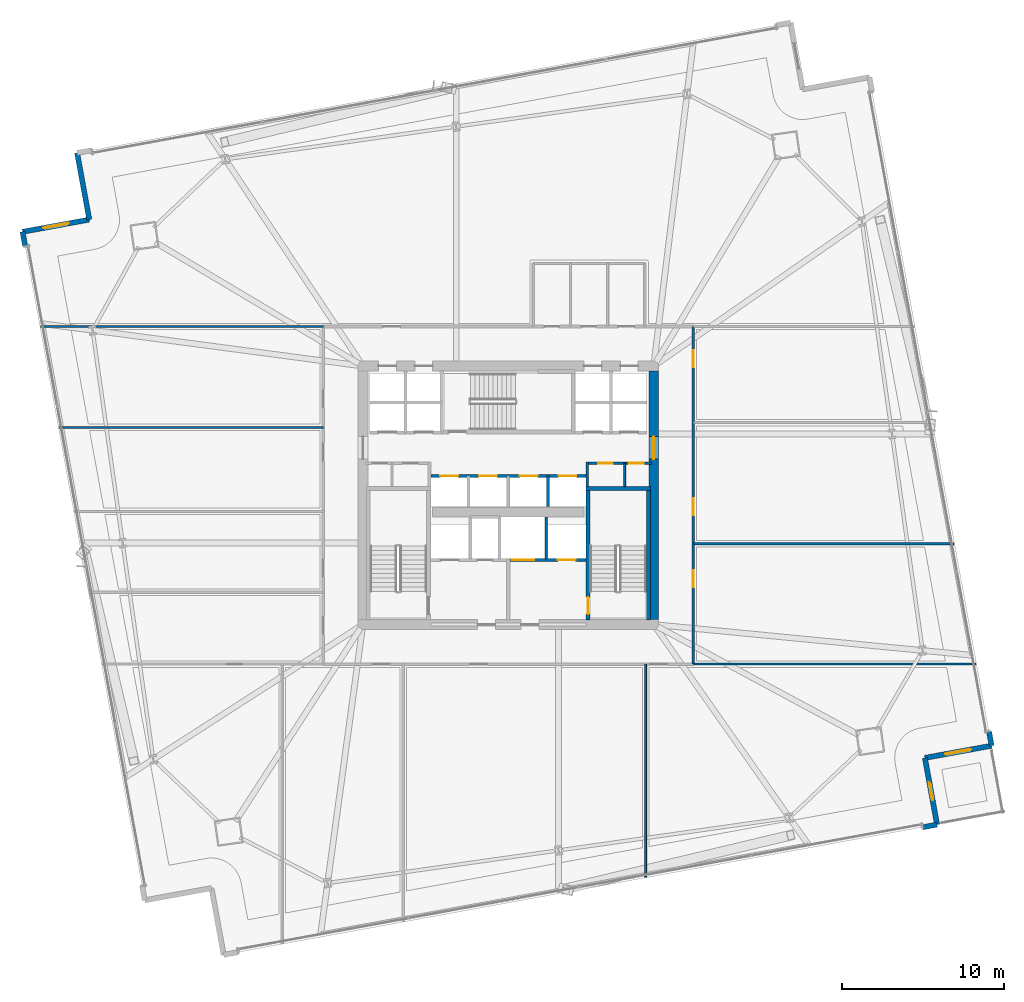
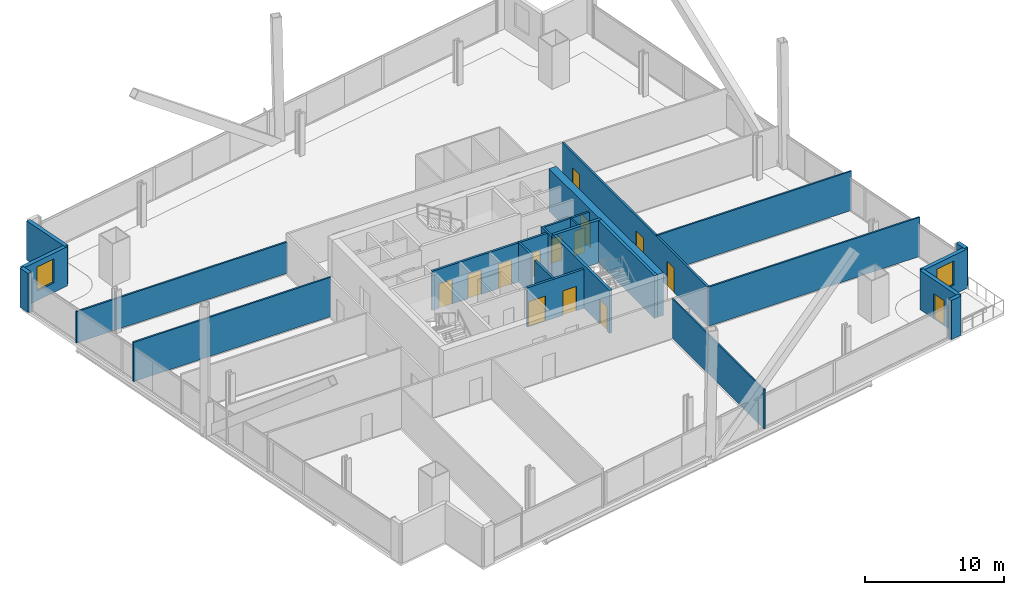
# One storey, part 27 of 34: 24 walls, 14 doors, 2 windows, 16 openings.
"""IFC4 building model written with IfcOpenShell, lengths in metres."""

from ifc_helpers import new_model, si_unit, direction, frame, frame_2d, origin, place, context, subcontext, project, spatial, rectangle, extrude, material, layer, layer_set, type_object, element, fill, save


model = new_model("IFC4")

# Units and contexts
model_context = context("Model", 3, precision=1e-05, world=origin(), true_north=direction((0.0, 1.0)))
body_context = subcontext(model_context, "Body", "Model", "MODEL_VIEW")
ifc_project = project(units=[si_unit("LENGTHUNIT", "METRE"), si_unit("AREAUNIT", "SQUARE_METRE"), si_unit("VOLUMEUNIT", "CUBIC_METRE"), si_unit("PLANEANGLEUNIT", "RADIAN"), si_unit("MASSUNIT", "GRAM", prefix="KILO")], contexts=[model_context])

# Site, building, storey
site_placement = place(None, origin())
site = spatial("IfcSite", under=ifc_project, at=site_placement, CompositionType="ELEMENT")
building_placement = place(site_placement, origin())
building = spatial("IfcBuilding", under=site, at=building_placement, Name="Haldenkirk Collegiate Tower", CompositionType="ELEMENT")
storey_placement = place(building_placement, frame((0.0, 0.0, 62.699951171875)))
storey = spatial("IfcBuildingStorey", under=building, at=storey_placement, Name="L14", CompositionType="ELEMENT", Elevation=62.699951171875)

# Wall, opening, door
ifc_material_1 = material(Name="Concrete f'c 70 MPa", Category="concrete")
ifc_layer_1 = layer(ifc_material_1, 0.60009765625)
ifc_layer_set_1 = layer_set([ifc_layer_1], Name="Concrete f'c 70 MPa")
wall_type_1 = type_object("IfcWallType", Name="WL-CORE-600", PredefinedType="SHEAR", material=ifc_layer_set_1)
wall_1_placement = place(storey_placement, frame((45.0, 18.300048828125, 0.0), z_axis=(0.0, 0.0, 1.0), x_axis=(0.0, 1.0, 0.0)))
wall_1 = element("IfcWall", 1, at=wall_1_placement, inside=storey, type_object=wall_type_1, Name="L14 central core shear wall E", PredefinedType="SHEAR", context=body_context, shape_type="SweptSolid", body=[
    extrude(rectangle(XDim=15.39990234375, YDim=0.60009765625, at=frame_2d((7.699951171875, 0.0))), origin(), (0.0, 0.0, 1.0), 3.75),
])
opening_1_placement = place(wall_1_placement, frame((9.93994140625, 0.0, 0.0)))
opening_1 = element("IfcOpeningElement", 2, at=opening_1_placement, cuts=wall_1, Name="Opening D-03", PredefinedType="OPENING", context=body_context, shape_type="SweptSolid", body=[
    extrude(rectangle(XDim=1.39990234375, YDim=2.199951171875, at=frame_2d((0.699951171875, 1.10009765625))), frame((0.0, 0.31005859375, 0.0), z_axis=(0.0, -1.0, 0.0), x_axis=(1.0, 0.0, 0.0)), (0.0, 0.0, 1.0), 0.6201171875),
])
ifc_material_2 = material(Name="Galvanized fire-rated hollow steel door", Category="steel")
ifc_layer_2 = layer(ifc_material_2, 0.06005859375)
ifc_layer_set_2 = layer_set([ifc_layer_2], Name="Galvanized fire-rated hollow steel door")
door_type_1 = type_object("IfcDoorType", Name="DR-LOBBY-FD90-1400", OperationType="NOTDEFINED", PredefinedType="DOOR", material=ifc_layer_set_2)
door_1_placement = place(opening_1_placement, origin())
door_1 = element("IfcDoor", 3, at=door_1_placement, inside=storey, type_object=door_type_1, Name="L14 east lift lobby portal", OperationType="DOUBLE_DOOR_SINGLE_SWING", OverallHeight=2.199951171875, OverallWidth=1.39990234375, PredefinedType="DOOR", context=body_context, shape_type="SweptSolid", body=[
    extrude(rectangle(XDim=1.39990234375, YDim=2.199951171875, at=frame_2d((0.699951171875, 1.10009765625))), frame((0.0, 0.02490234375, 0.0), z_axis=(0.0, -1.0, 0.0), x_axis=(1.0, 0.0, 0.0)), (0.0, 0.0, 1.0), 0.050048828125),
])
fill(opening_1, door_1)

# Wall
ifc_material_3 = material(Name="Precast concrete f'c 40 MPa", Category="concrete")
ifc_layer_3 = layer(ifc_material_3, 0.320068359375)
ifc_layer_set_3 = layer_set([ifc_layer_3], Name="Precast concrete f'c 40 MPa")
wall_type_2 = type_object("IfcWallType", Name="WL-EXT-TWR-320", PredefinedType="STANDARD", material=ifc_layer_set_3)
wall_2_placement = place(storey_placement, frame((62.544921875, 5.6123046875, 0.0), z_axis=(0.0, 0.0, 1.0), x_axis=(-0.983748172456, -0.179553705587, 0.0)))
element("IfcWall", 4, at=wall_2_placement, inside=storey, type_object=wall_type_2, Name="L14 precast corner pier SL", PredefinedType="STANDARD", context=body_context, shape_type="SweptSolid", body=[
    extrude(rectangle(XDim=0.900146484375, YDim=0.320068359375, at=frame_2d((0.4501953125, 0.0))), origin(), (0.0, 0.0, 1.0), 3.43994140625),
])

# Wall, opening, door
wall_3_placement = place(storey_placement, frame((61.790283203125, 9.743896484375, 0.0), z_axis=(0.0, 0.0, 1.0), x_axis=(0.179678266411, -0.983725429467, 0.0)))
wall_3 = element("IfcWall", 5, at=wall_3_placement, inside=storey, type_object=wall_type_2, Name="L14 bronze precast notch wall 02", PredefinedType="STANDARD", context=body_context, shape_type="SweptSolid", body=[
    extrude(rectangle(XDim=4.199951171875, YDim=0.320068359375, at=frame_2d((2.10009765625, 0.0))), origin(), (0.0, 0.0, 1.0), 3.43994140625),
])
opening_2_placement = place(wall_3_placement, frame((1.52490234375, 0.0, 0.0)))
opening_2 = element("IfcOpeningElement", 6, at=opening_2_placement, cuts=wall_3, Name="Opening D-ST11", PredefinedType="OPENING", context=body_context, shape_type="SweptSolid", body=[
    extrude(rectangle(XDim=1.14990234375, YDim=2.199951171875, at=frame_2d((0.574951171875, 1.10009765625))), frame((0.0, 0.169921875, 0.0), z_axis=(0.0, -1.0, 0.0), x_axis=(1.0, 0.0, 0.0)), (0.0, 0.0, 1.0), 0.340087890625),
])
ifc_material_4 = material(Name="Anodised architectural bronze aluminium", Category="aluminium")
ifc_layer_4 = layer(ifc_material_4, 0.080078125)
ifc_layer_set_4 = layer_set([ifc_layer_4], Name="Anodised architectural bronze aluminium")
door_type_2 = type_object("IfcDoorType", Name="DR-EXT-STER-1150", OperationType="NOTDEFINED", PredefinedType="DOOR", material=ifc_layer_set_4)
door_2_placement = place(opening_2_placement, origin())
door_2 = element("IfcDoor", 7, at=door_2_placement, inside=storey, type_object=door_type_2, Name="L14 spiralling terrace door", OperationType="SINGLE_SWING_LEFT", OverallHeight=2.199951171875, OverallWidth=1.14990234375, PredefinedType="DOOR", context=body_context, shape_type="SweptSolid", body=[
    extrude(rectangle(XDim=1.14990234375, YDim=2.199951171875, at=frame_2d((0.574951171875, 1.10009765625))), frame((0.0, 0.02490234375, 0.0), z_axis=(0.0, -1.0, 0.0), x_axis=(1.0, 0.0, 0.0)), (0.0, 0.0, 1.0), 0.050048828125),
])
fill(opening_2, door_2)

# Wall, opening, window
wall_4_placement = place(storey_placement, frame((65.921875, 10.49853515625, 0.0), z_axis=(0.0, 0.0, 1.0), x_axis=(-0.983725429467, -0.179678266411, 0.0)))
wall_4 = element("IfcWall", 8, at=wall_4_placement, inside=storey, type_object=wall_type_2, Name="L14 bronze precast notch wall 03", PredefinedType="STANDARD", context=body_context, shape_type="SweptSolid", body=[
    extrude(rectangle(XDim=4.199951171875, YDim=0.320068359375, at=frame_2d((2.10009765625, 0.0))), origin(), (0.0, 0.0, 1.0), 3.43994140625),
])
opening_3_placement = place(wall_4_placement, frame((1.300048828125, 0.0, 0.85009765625)))
opening_3 = element("IfcOpeningElement", 9, at=opening_3_placement, cuts=wall_4, Name="Opening W-03", PredefinedType="OPENING", context=body_context, shape_type="SweptSolid", body=[
    extrude(rectangle(XDim=1.60009765625, YDim=2.10009765625, at=frame_2d((0.800048828125, 1.050048828125))), frame((0.0, 0.169921875, 0.0), z_axis=(0.0, -1.0, 0.0), x_axis=(1.0, 0.0, 0.0)), (0.0, 0.0, 1.0), 0.340087890625),
])
ifc_material_5 = material(Name="Low-E argon triple insulating glass", Category="glass")
ifc_layer_5 = layer(ifc_material_5, 0.090087890625)
ifc_layer_set_5 = layer_set([ifc_layer_5], Name="Low-E argon triple insulating glass")
window_type = type_object("IfcWindowType", Name="WN-Z1-1600X2100", PartitioningType="SINGLE_PANEL", PredefinedType="WINDOW", material=ifc_layer_set_5)
window_1_placement = place(opening_3_placement, origin())
window_1 = element("IfcWindow", 10, at=window_1_placement, inside=storey, type_object=window_type, Name="L14 precast-frame academic window 2", OverallHeight=2.10009765625, OverallWidth=1.60009765625, PartitioningType="SINGLE_PANEL", PredefinedType="WINDOW", context=body_context, shape_type="SweptSolid", body=[
    extrude(rectangle(XDim=1.60009765625, YDim=2.10009765625, at=frame_2d((0.800048828125, 1.050048828125))), frame((0.0, 0.030029296875, 0.0), z_axis=(0.0, -1.0, 0.0), x_axis=(1.0, 0.0, 0.0)), (0.0, 0.0, 1.0), 0.06005859375),
])
fill(opening_3, window_1)

# Walls
wall_5_placement = place(storey_placement, frame((65.76025390625, 11.384033203125, 0.0), z_axis=(0.0, 0.0, 1.0), x_axis=(0.179553705587, -0.983748172456, 0.0)))
element("IfcWall", 11, at=wall_5_placement, inside=storey, type_object=wall_type_2, Name="L14 precast corner pier ER", PredefinedType="STANDARD", context=body_context, shape_type="SweptSolid", body=[
    extrude(rectangle(XDim=0.900146484375, YDim=0.320068359375, at=frame_2d((0.4501953125, 0.0))), origin(), (0.0, 0.0, 1.0), 3.43994140625),
])
wall_6_placement = place(storey_placement, frame((10.0615234375, 43.067626953125, 0.0), z_axis=(0.0, 0.0, 1.0), x_axis=(-0.179678266411, 0.983725429467, 0.0)))
element("IfcWall", 12, at=wall_6_placement, inside=storey, type_object=wall_type_2, Name="L14 bronze precast notch wall 08", PredefinedType="STANDARD", context=body_context, shape_type="SweptSolid", body=[
    extrude(rectangle(XDim=4.199951171875, YDim=0.320068359375, at=frame_2d((2.10009765625, 0.0))), origin(), (0.0, 0.0, 1.0), 3.43994140625),
])

# Wall, opening, window
wall_7_placement = place(storey_placement, frame((5.929931640625, 42.31298828125, 0.0), z_axis=(0.0, 0.0, 1.0), x_axis=(0.983725429467, 0.179678266411, 0.0)))
wall_7 = element("IfcWall", 13, at=wall_7_placement, inside=storey, type_object=wall_type_2, Name="L14 bronze precast notch wall 09", PredefinedType="STANDARD", context=body_context, shape_type="SweptSolid", body=[
    extrude(rectangle(XDim=4.199951171875, YDim=0.320068359375, at=frame_2d((2.10009765625, 0.0))), origin(), (0.0, 0.0, 1.0), 3.43994140625),
])
opening_4_placement = place(wall_7_placement, frame((1.300048828125, 0.0, 0.85009765625)))
opening_4 = element("IfcOpeningElement", 14, at=opening_4_placement, cuts=wall_7, Name="Opening W-03", PredefinedType="OPENING", context=body_context, shape_type="SweptSolid", body=[
    extrude(rectangle(XDim=1.60009765625, YDim=2.10009765625, at=frame_2d((0.800048828125, 1.050048828125))), frame((0.0, 0.169921875, 0.0), z_axis=(0.0, -1.0, 0.0), x_axis=(1.0, 0.0, 0.0)), (0.0, 0.0, 1.0), 0.340087890625),
])
window_2_placement = place(opening_4_placement, origin())
window_2 = element("IfcWindow", 15, at=window_2_placement, inside=storey, type_object=window_type, Name="L14 precast-frame academic window 8", OverallHeight=2.10009765625, OverallWidth=1.60009765625, PartitioningType="SINGLE_PANEL", PredefinedType="WINDOW", context=body_context, shape_type="SweptSolid", body=[
    extrude(rectangle(XDim=1.60009765625, YDim=2.10009765625, at=frame_2d((0.800048828125, 1.050048828125))), frame((0.0, 0.030029296875, 0.0), z_axis=(0.0, -1.0, 0.0), x_axis=(1.0, 0.0, 0.0)), (0.0, 0.0, 1.0), 0.06005859375),
])
fill(opening_4, window_2)

# Wall
wall_8_placement = place(storey_placement, frame((6.091552734375, 41.427490234375, 0.0), z_axis=(0.0, 0.0, 1.0), x_axis=(-0.179553705587, 0.983748172456, 0.0)))
element("IfcWall", 16, at=wall_8_placement, inside=storey, type_object=wall_type_2, Name="L14 precast corner pier WR", PredefinedType="STANDARD", context=body_context, shape_type="SweptSolid", body=[
    extrude(rectangle(XDim=0.900146484375, YDim=0.320068359375, at=frame_2d((0.4501953125, 0.0))), origin(), (0.0, 0.0, 1.0), 3.43994140625),
])

# Wall, openings, doors
ifc_material_6 = material(Name="Acoustic fire-rated gypsum partition", Category="concrete")
ifc_layer_6 = layer(ifc_material_6, 0.159912109375)
ifc_layer_set_6 = layer_set([ifc_layer_6], Name="Acoustic fire-rated gypsum partition")
wall_type_3 = type_object("IfcWallType", Name="WL-INT-CORR-160", PredefinedType="PARTITIONING", material=ifc_layer_set_6)
wall_9_placement = place(storey_placement, frame((40.800048828125, 27.97998046875, 0.0), z_axis=(0.0, 0.0, 1.0), x_axis=(1.0, 0.0, 0.0)))
wall_9 = element("IfcWall", 17, at=wall_9_placement, inside=storey, type_object=wall_type_3, Name="L14 interior partition IW-L14-VCSE-N", PredefinedType="PARTITIONING", context=body_context, shape_type="SweptSolid", body=[
    extrude(rectangle(XDim=4.050048828125, YDim=0.159912109375, at=frame_2d((2.02490234375, 0.0))), origin(), (0.0, 0.0, 1.0), 3.43994140625),
])
opening_5_placement = place(wall_9_placement, frame((0.77001953125, 0.0, 0.0)))
opening_5 = element("IfcOpeningElement", 18, at=opening_5_placement, cuts=wall_9, Name="Opening D-11", PredefinedType="OPENING", context=body_context, shape_type="SweptSolid", body=[
    extrude(rectangle(XDim=0.89990234375, YDim=2.14990234375, at=frame_2d((0.449951171875, 1.074951171875))), frame((0.0, 0.08984375, 0.0), z_axis=(0.0, -1.0, 0.0), x_axis=(1.0, 0.0, 0.0)), (0.0, 0.0, 1.0), 0.179931640625),
])
opening_6_placement = place(wall_9_placement, frame((2.679931640625, 0.0, 0.0)))
opening_6 = element("IfcOpeningElement", 19, at=opening_6_placement, cuts=wall_9, Name="Opening D-11", PredefinedType="OPENING", context=body_context, shape_type="SweptSolid", body=[
    extrude(rectangle(XDim=0.89990234375, YDim=2.14990234375, at=frame_2d((0.449951171875, 1.074951171875))), frame((0.0, 0.08984375, 0.0), z_axis=(0.0, -1.0, 0.0), x_axis=(1.0, 0.0, 0.0)), (0.0, 0.0, 1.0), 0.179931640625),
])
ifc_material_7 = material(Name="Solid-core architectural oak fire door", Category="wood")
ifc_layer_7 = layer(ifc_material_7, 0.06005859375)
ifc_layer_set_7 = layer_set([ifc_layer_7], Name="Solid-core architectural oak fire door")
door_type_3 = type_object("IfcDoorType", Name="DR-INT-FD60-900", OperationType="NOTDEFINED", PredefinedType="DOOR", material=ifc_layer_set_7)
door_3_placement = place(opening_5_placement, origin())
door_3 = element("IfcDoor", 20, at=door_3_placement, inside=storey, type_object=door_type_3, Name="L14 core archive door", OperationType="SINGLE_SWING_LEFT", OverallHeight=2.14990234375, OverallWidth=0.89990234375, PredefinedType="DOOR", context=body_context, shape_type="SweptSolid", body=[
    extrude(rectangle(XDim=0.89990234375, YDim=2.14990234375, at=frame_2d((0.449951171875, 1.074951171875))), frame((0.0, 0.02490234375, 0.0), z_axis=(0.0, -1.0, 0.0), x_axis=(1.0, 0.0, 0.0)), (0.0, 0.0, 1.0), 0.050048828125),
])
fill(opening_5, door_3)
door_4_placement = place(opening_6_placement, origin())
door_4 = element("IfcDoor", 21, at=door_4_placement, inside=storey, type_object=door_type_3, Name="L14 core telecom door", OperationType="SINGLE_SWING_RIGHT", OverallHeight=2.14990234375, OverallWidth=0.89990234375, PredefinedType="DOOR", context=body_context, shape_type="SweptSolid", body=[
    extrude(rectangle(XDim=0.89990234375, YDim=2.14990234375, at=frame_2d((0.449951171875, 1.074951171875))), frame((0.0, 0.02490234375, 0.0), z_axis=(0.0, -1.0, 0.0), x_axis=(1.0, 0.0, 0.0)), (0.0, 0.0, 1.0), 0.050048828125),
])
fill(opening_6, door_4)

# Wall
wall_10_placement = place(storey_placement, frame((40.8798828125, 26.5400390625, 0.0), z_axis=(0.0, 0.0, 1.0), x_axis=(0.0, 1.0, 0.0)))
element("IfcWall", 22, at=wall_10_placement, inside=storey, type_object=wall_type_3, Name="L14 interior partition IW-L14-VCSE-W", PredefinedType="PARTITIONING", context=body_context, shape_type="SweptSolid", body=[
    extrude(rectangle(XDim=1.510009765625, YDim=0.159912109375, at=frame_2d((0.7548828125, 0.0))), origin(), (0.0, 0.0, 1.0), 3.43994140625),
])

# Wall, openings, doors
wall_11_placement = place(storey_placement, frame((47.449951171875, 15.550048828125, 0.0), z_axis=(0.0, 0.0, 1.0), x_axis=(0.0, 1.0, 0.0)))
wall_11 = element("IfcWall", 23, at=wall_11_placement, inside=storey, type_object=wall_type_3, Name="L14 interior partition IW-L14-CE", PredefinedType="PARTITIONING", context=body_context, shape_type="SweptSolid", body=[
    extrude(rectangle(XDim=20.89990234375, YDim=0.159912109375, at=frame_2d((10.449951171875, 0.0))), origin(), (0.0, 0.0, 1.0), 3.43994140625),
])
opening_7_placement = place(wall_11_placement, frame((4.76708984375, 0.0, 0.0)))
opening_7 = element("IfcOpeningElement", 24, at=opening_7_placement, cuts=wall_11, Name="Opening D-09", PredefinedType="OPENING", context=body_context, shape_type="SweptSolid", body=[
    extrude(rectangle(XDim=1.050048828125, YDim=2.14990234375, at=frame_2d((0.52490234375, 1.074951171875))), frame((0.0, 0.08984375, 0.0), z_axis=(0.0, -1.0, 0.0), x_axis=(1.0, 0.0, 0.0)), (0.0, 0.0, 1.0), 0.179931640625),
])
opening_8_placement = place(wall_11_placement, frame((9.205078125, 0.0, 0.0)))
opening_8 = element("IfcOpeningElement", 25, at=opening_8_placement, cuts=wall_11, Name="Opening D-09", PredefinedType="OPENING", context=body_context, shape_type="SweptSolid", body=[
    extrude(rectangle(XDim=1.050048828125, YDim=2.14990234375, at=frame_2d((0.52490234375, 1.074951171875))), frame((0.0, 0.08984375, 0.0), z_axis=(0.0, -1.0, 0.0), x_axis=(1.0, 0.0, 0.0)), (0.0, 0.0, 1.0), 0.179931640625),
])
opening_9_placement = place(wall_11_placement, frame((18.364990234375, 0.0, 0.0)))
opening_9 = element("IfcOpeningElement", 26, at=opening_9_placement, cuts=wall_11, Name="Opening D-09", PredefinedType="OPENING", context=body_context, shape_type="SweptSolid", body=[
    extrude(rectangle(XDim=1.050048828125, YDim=2.14990234375, at=frame_2d((0.52490234375, 1.074951171875))), frame((0.0, 0.08984375, 0.0), z_axis=(0.0, -1.0, 0.0), x_axis=(1.0, 0.0, 0.0)), (0.0, 0.0, 1.0), 0.179931640625),
])
ifc_layer_8 = layer(ifc_material_7, 0.06005859375)
ifc_layer_set_8 = layer_set([ifc_layer_8], Name="Solid-core architectural oak fire door")
door_type_4 = type_object("IfcDoorType", Name="DR-INT-FD60-1050", OperationType="NOTDEFINED", PredefinedType="DOOR", material=ifc_layer_set_8)
door_5_placement = place(opening_7_placement, origin())
door_5 = element("IfcDoor", 27, at=door_5_placement, inside=storey, type_object=door_type_4, Name="L14 Faculty Club Lounge 10 door", OperationType="SINGLE_SWING_LEFT", OverallHeight=2.14990234375, OverallWidth=1.050048828125, PredefinedType="DOOR", context=body_context, shape_type="SweptSolid", body=[
    extrude(rectangle(XDim=1.050048828125, YDim=2.14990234375, at=frame_2d((0.52490234375, 1.074951171875))), frame((0.0, 0.02490234375, 0.0), z_axis=(0.0, -1.0, 0.0), x_axis=(1.0, 0.0, 0.0)), (0.0, 0.0, 1.0), 0.050048828125),
])
fill(opening_7, door_5)
door_6_placement = place(opening_8_placement, origin())
door_6 = element("IfcDoor", 28, at=door_6_placement, inside=storey, type_object=door_type_4, Name="L14 Periodical Reading Lounge 11 door", OperationType="SINGLE_SWING_RIGHT", OverallHeight=2.14990234375, OverallWidth=1.050048828125, PredefinedType="DOOR", context=body_context, shape_type="SweptSolid", body=[
    extrude(rectangle(XDim=1.050048828125, YDim=2.14990234375, at=frame_2d((0.52490234375, 1.074951171875))), frame((0.0, 0.02490234375, 0.0), z_axis=(0.0, -1.0, 0.0), x_axis=(1.0, 0.0, 0.0)), (0.0, 0.0, 1.0), 0.050048828125),
])
fill(opening_8, door_6)
door_7_placement = place(opening_9_placement, origin())
door_7 = element("IfcDoor", 29, at=door_7_placement, inside=storey, type_object=door_type_4, Name="L14 Scholar Lounge 12 door", OperationType="SINGLE_SWING_LEFT", OverallHeight=2.14990234375, OverallWidth=1.050048828125, PredefinedType="DOOR", context=body_context, shape_type="SweptSolid", body=[
    extrude(rectangle(XDim=1.050048828125, YDim=2.14990234375, at=frame_2d((0.52490234375, 1.074951171875))), frame((0.0, 0.02490234375, 0.0), z_axis=(0.0, -1.0, 0.0), x_axis=(1.0, 0.0, 0.0)), (0.0, 0.0, 1.0), 0.050048828125),
])
fill(opening_9, door_7)

# Walls
ifc_layer_9 = layer(ifc_material_6, 0.139892578125)
ifc_layer_set_9 = layer_set([ifc_layer_9], Name="Acoustic fire-rated gypsum partition")
wall_type_4 = type_object("IfcWallType", Name="WL-INT-DIV-140", PredefinedType="PARTITIONING", material=ifc_layer_set_9)
wall_12_placement = place(storey_placement, frame((7.041259765625, 36.449951171875, 0.0), z_axis=(0.0, 0.0, 1.0), x_axis=(1.0, 0.0, 0.0)))
element("IfcWall", 30, at=wall_12_placement, inside=storey, type_object=wall_type_4, Name="L14 interior partition IW-L14-BWN", PredefinedType="PARTITIONING", context=body_context, shape_type="SweptSolid", body=[
    extrude(rectangle(XDim=17.5087890625, YDim=0.139892578125, at=frame_2d((8.75439453125, 0.0))), origin(), (0.0, 0.0, 1.0), 2.739013671875),
])
wall_13_placement = place(storey_placement, frame((47.449951171875, 15.550048828125, 0.0), z_axis=(0.0, 0.0, 1.0), x_axis=(1.0, 0.0, 0.0)))
element("IfcWall", 31, at=wall_13_placement, inside=storey, type_object=wall_type_4, Name="L14 interior partition IW-L14-BES", PredefinedType="PARTITIONING", context=body_context, shape_type="SweptSolid", body=[
    extrude(rectangle(XDim=17.5087890625, YDim=0.139892578125, at=frame_2d((8.75439453125, 0.0))), origin(), (0.0, 0.0, 1.0), 3.43994140625),
])
wall_14_placement = place(storey_placement, frame((8.182861328125, 30.199951171875, 0.0), z_axis=(0.0, 0.0, 1.0), x_axis=(1.0, 0.0, 0.0)))
element("IfcWall", 32, at=wall_14_placement, inside=storey, type_object=wall_type_4, Name="L14 interior partition IW-L14-RW3", PredefinedType="PARTITIONING", context=body_context, shape_type="SweptSolid", body=[
    extrude(rectangle(XDim=16.3671875, YDim=0.139892578125, at=frame_2d((8.18359375, 0.0))), origin(), (0.0, 0.0, 1.0), 3.43994140625),
])
wall_15_placement = place(storey_placement, frame((47.449951171875, 23.0, 0.0), z_axis=(0.0, 0.0, 1.0), x_axis=(1.0, 0.0, 0.0)))
element("IfcWall", 33, at=wall_15_placement, inside=storey, type_object=wall_type_4, Name="L14 interior partition IW-L14-RE1", PredefinedType="PARTITIONING", context=body_context, shape_type="SweptSolid", body=[
    extrude(rectangle(XDim=16.148193359375, YDim=0.139892578125, at=frame_2d((8.07421875, 0.0))), origin(), (0.0, 0.0, 1.0), 3.43994140625),
])
ifc_material_8 = material(Name="Fire-rated gypsum shaftboard assembly", Category="concrete")
ifc_layer_10 = layer(ifc_material_8, 0.179931640625)
ifc_layer_set_10 = layer_set([ifc_layer_10], Name="Fire-rated gypsum shaftboard assembly")
wall_type_5 = type_object("IfcWallType", Name="WL-INT-SHAFT-180", PredefinedType="PARTITIONING", material=ifc_layer_set_10)
wall_16_placement = place(storey_placement, frame((38.35009765625, 22.050048828125, 0.0), z_axis=(0.0, 0.0, 1.0), x_axis=(0.0, 1.0, 0.0)))
element("IfcWall", 34, at=wall_16_placement, inside=storey, type_object=wall_type_5, Name="L14 interior partition IW-L14-GL1E", PredefinedType="PARTITIONING", context=body_context, shape_type="SweptSolid", body=[
    extrude(rectangle(XDim=2.599853515625, YDim=0.179931640625, at=frame_2d((1.2998046875, 0.0))), origin(), (0.0, 0.0, 1.0), 3.43994140625),
])

# Wall, openings, doors
wall_17_placement = place(storey_placement, frame((31.199951171875, 27.199951171875, 0.0), z_axis=(0.0, 0.0, 1.0), x_axis=(1.0, 0.0, 0.0)))
wall_17 = element("IfcWall", 35, at=wall_17_placement, inside=storey, type_object=wall_type_5, Name="L14 interior partition IW-L14-PHN", PredefinedType="PARTITIONING", context=body_context, shape_type="SweptSolid", body=[
    extrude(rectangle(XDim=9.60009765625, YDim=0.179931640625, at=frame_2d((4.800048828125, 0.0))), origin(), (0.0, 0.0, 1.0), 3.43994140625),
])
opening_10_placement = place(wall_17_placement, frame((0.590087890625, 0.0, 0.0)))
opening_10 = element("IfcOpeningElement", 36, at=opening_10_placement, cuts=wall_17, Name="Opening LD-11", PredefinedType="OPENING", context=body_context, shape_type="SweptSolid", body=[
    extrude(rectangle(XDim=1.10009765625, YDim=2.14990234375, at=frame_2d((0.550048828125, 1.074951171875))), frame((0.0, 0.099853515625, 0.0), z_axis=(0.0, -1.0, 0.0), x_axis=(1.0, 0.0, 0.0)), (0.0, 0.0, 1.0), 0.199951171875),
])
opening_11_placement = place(wall_17_placement, frame((2.989990234375, 0.0, 0.0)))
opening_11 = element("IfcOpeningElement", 37, at=opening_11_placement, cuts=wall_17, Name="Opening LD-11", PredefinedType="OPENING", context=body_context, shape_type="SweptSolid", body=[
    extrude(rectangle(XDim=1.10009765625, YDim=2.14990234375, at=frame_2d((0.550048828125, 1.074951171875))), frame((0.0, 0.099853515625, 0.0), z_axis=(0.0, -1.0, 0.0), x_axis=(1.0, 0.0, 0.0)), (0.0, 0.0, 1.0), 0.199951171875),
])
opening_12_placement = place(wall_17_placement, frame((5.510009765625, 0.0, 0.0)))
opening_12 = element("IfcOpeningElement", 38, at=opening_12_placement, cuts=wall_17, Name="Opening LD-11", PredefinedType="OPENING", context=body_context, shape_type="SweptSolid", body=[
    extrude(rectangle(XDim=1.10009765625, YDim=2.14990234375, at=frame_2d((0.550048828125, 1.074951171875))), frame((0.0, 0.099853515625, 0.0), z_axis=(0.0, -1.0, 0.0), x_axis=(1.0, 0.0, 0.0)), (0.0, 0.0, 1.0), 0.199951171875),
])
opening_13_placement = place(wall_17_placement, frame((7.909912109375, 0.0, 0.0)))
opening_13 = element("IfcOpeningElement", 39, at=opening_13_placement, cuts=wall_17, Name="Opening LD-11", PredefinedType="OPENING", context=body_context, shape_type="SweptSolid", body=[
    extrude(rectangle(XDim=1.10009765625, YDim=2.14990234375, at=frame_2d((0.550048828125, 1.074951171875))), frame((0.0, 0.099853515625, 0.0), z_axis=(0.0, -1.0, 0.0), x_axis=(1.0, 0.0, 0.0)), (0.0, 0.0, 1.0), 0.199951171875),
])
ifc_material_9 = material(Name="Brushed architectural stainless steel", Category="steel")
ifc_layer_11 = layer(ifc_material_9, 0.06005859375)
ifc_layer_set_11 = layer_set([ifc_layer_11], Name="Brushed architectural stainless steel")
door_type_5 = type_object("IfcDoorType", Name="LD-PASS-1100", OperationType="NOTDEFINED", PredefinedType="DOOR", material=ifc_layer_set_11)
door_8_placement = place(opening_10_placement, origin())
door_8 = element("IfcDoor", 40, at=door_8_placement, inside=storey, type_object=door_type_5, Name="L14 Elevator PH1 sliding landing door", OperationType="SLIDING_TO_LEFT", OverallHeight=2.14990234375, OverallWidth=1.10009765625, PredefinedType="DOOR", context=body_context, shape_type="SweptSolid", body=[
    extrude(rectangle(XDim=1.10009765625, YDim=2.14990234375, at=frame_2d((0.550048828125, 1.074951171875))), frame((0.0, 0.02490234375, 0.0), z_axis=(0.0, -1.0, 0.0), x_axis=(1.0, 0.0, 0.0)), (0.0, 0.0, 1.0), 0.050048828125),
])
fill(opening_10, door_8)
door_9_placement = place(opening_11_placement, origin())
door_9 = element("IfcDoor", 41, at=door_9_placement, inside=storey, type_object=door_type_5, Name="L14 Elevator PH2 sliding landing door", OperationType="SLIDING_TO_LEFT", OverallHeight=2.14990234375, OverallWidth=1.10009765625, PredefinedType="DOOR", context=body_context, shape_type="SweptSolid", body=[
    extrude(rectangle(XDim=1.10009765625, YDim=2.14990234375, at=frame_2d((0.550048828125, 1.074951171875))), frame((0.0, 0.02490234375, 0.0), z_axis=(0.0, -1.0, 0.0), x_axis=(1.0, 0.0, 0.0)), (0.0, 0.0, 1.0), 0.050048828125),
])
fill(opening_11, door_9)
door_10_placement = place(opening_12_placement, origin())
door_10 = element("IfcDoor", 42, at=door_10_placement, inside=storey, type_object=door_type_5, Name="L14 Elevator PH3 sliding landing door", OperationType="SLIDING_TO_LEFT", OverallHeight=2.14990234375, OverallWidth=1.10009765625, PredefinedType="DOOR", context=body_context, shape_type="SweptSolid", body=[
    extrude(rectangle(XDim=1.10009765625, YDim=2.14990234375, at=frame_2d((0.550048828125, 1.074951171875))), frame((0.0, 0.02490234375, 0.0), z_axis=(0.0, -1.0, 0.0), x_axis=(1.0, 0.0, 0.0)), (0.0, 0.0, 1.0), 0.050048828125),
])
fill(opening_12, door_10)
door_11_placement = place(opening_13_placement, origin())
door_11 = element("IfcDoor", 43, at=door_11_placement, inside=storey, type_object=door_type_5, Name="L14 Elevator PH4 sliding landing door", OperationType="SLIDING_TO_LEFT", OverallHeight=2.14990234375, OverallWidth=1.10009765625, PredefinedType="DOOR", context=body_context, shape_type="SweptSolid", body=[
    extrude(rectangle(XDim=1.10009765625, YDim=2.14990234375, at=frame_2d((0.550048828125, 1.074951171875))), frame((0.0, 0.02490234375, 0.0), z_axis=(0.0, -1.0, 0.0), x_axis=(1.0, 0.0, 0.0)), (0.0, 0.0, 1.0), 0.050048828125),
])
fill(opening_13, door_11)

# Wall
wall_18_placement = place(storey_placement, frame((38.4599609375, 25.300048828125, 0.0), z_axis=(0.0, 0.0, 1.0), x_axis=(0.0, 1.0, 0.0)))
element("IfcWall", 44, at=wall_18_placement, inside=storey, type_object=wall_type_5, Name="L14 interior partition IW-L14-PHV3", PredefinedType="PARTITIONING", context=body_context, shape_type="SweptSolid", body=[
    extrude(rectangle(XDim=1.89990234375, YDim=0.179931640625, at=frame_2d((0.949951171875, 0.0))), origin(), (0.0, 0.0, 1.0), 3.43994140625),
])

# Wall, openings, doors
ifc_layer_12 = layer(ifc_material_8, 0.199951171875)
ifc_layer_set_12 = layer_set([ifc_layer_12], Name="Fire-rated gypsum shaftboard assembly")
wall_type_6 = type_object("IfcWallType", Name="WL-INT-SHAFT-200", PredefinedType="PARTITIONING", material=ifc_layer_set_12)
wall_19_placement = place(storey_placement, frame((36.1201171875, 22.0, 0.0), z_axis=(0.0, 0.0, 1.0), x_axis=(1.0, 0.0, 0.0)))
wall_19 = element("IfcWall", 45, at=wall_19_placement, inside=storey, type_object=wall_type_6, Name="L14 interior partition IW-L14-FFL2N", PredefinedType="PARTITIONING", context=body_context, shape_type="SweptSolid", body=[
    extrude(rectangle(XDim=4.68994140625, YDim=0.199951171875, at=frame_2d((2.344970703125, 0.0))), origin(), (0.0, 0.0, 1.0), 3.43994140625),
])
opening_14_placement = place(wall_19_placement, frame((2.955078125, 0.0, 0.0)))
opening_14 = element("IfcOpeningElement", 46, at=opening_14_placement, cuts=wall_19, Name="Opening LD-12", PredefinedType="OPENING", context=body_context, shape_type="SweptSolid", body=[
    extrude(rectangle(XDim=1.10009765625, YDim=2.14990234375, at=frame_2d((0.550048828125, 1.074951171875))), frame((0.0, 0.10986328125, 0.0), z_axis=(0.0, -1.0, 0.0), x_axis=(1.0, 0.0, 0.0)), (0.0, 0.0, 1.0), 0.219970703125),
])
opening_15_placement = place(wall_19_placement, frame((0.080078125, 0.0, 0.0)))
opening_15 = element("IfcOpeningElement", 47, at=opening_15_placement, cuts=wall_19, Name="Opening LD-13", PredefinedType="OPENING", context=body_context, shape_type="SweptSolid", body=[
    extrude(rectangle(XDim=1.39990234375, YDim=2.199951171875, at=frame_2d((0.699951171875, 1.10009765625))), frame((0.0, 0.10986328125, 0.0), z_axis=(0.0, -1.0, 0.0), x_axis=(1.0, 0.0, 0.0)), (0.0, 0.0, 1.0), 0.219970703125),
])
ifc_layer_13 = layer(ifc_material_9, 0.06005859375)
ifc_layer_set_13 = layer_set([ifc_layer_13], Name="Brushed architectural stainless steel")
door_type_6 = type_object("IfcDoorType", Name="LD-FIRE-1100", OperationType="NOTDEFINED", PredefinedType="DOOR", material=ifc_layer_set_13)
door_12_placement = place(opening_14_placement, origin())
door_12 = element("IfcDoor", 48, at=door_12_placement, inside=storey, type_object=door_type_6, Name="L14 Elevator FL2 sliding landing door", OperationType="SLIDING_TO_LEFT", OverallHeight=2.14990234375, OverallWidth=1.10009765625, PredefinedType="DOOR", context=body_context, shape_type="SweptSolid", body=[
    extrude(rectangle(XDim=1.10009765625, YDim=2.14990234375, at=frame_2d((0.550048828125, 1.074951171875))), frame((0.0, 0.02490234375, 0.0), z_axis=(0.0, -1.0, 0.0), x_axis=(1.0, 0.0, 0.0)), (0.0, 0.0, 1.0), 0.050048828125),
])
fill(opening_14, door_12)
ifc_layer_14 = layer(ifc_material_9, 0.06005859375)
ifc_layer_set_14 = layer_set([ifc_layer_14], Name="Brushed architectural stainless steel")
door_type_7 = type_object("IfcDoorType", Name="LD-GOODS-1400", OperationType="NOTDEFINED", PredefinedType="DOOR", material=ifc_layer_set_14)
door_13_placement = place(opening_15_placement, origin())
door_13 = element("IfcDoor", 49, at=door_13_placement, inside=storey, type_object=door_type_7, Name="L14 Elevator GL1 sliding landing door", OperationType="SLIDING_TO_LEFT", OverallHeight=2.199951171875, OverallWidth=1.39990234375, PredefinedType="DOOR", context=body_context, shape_type="SweptSolid", body=[
    extrude(rectangle(XDim=1.39990234375, YDim=2.199951171875, at=frame_2d((0.699951171875, 1.10009765625))), frame((0.0, 0.02490234375, 0.0), z_axis=(0.0, -1.0, 0.0), x_axis=(1.0, 0.0, 0.0)), (0.0, 0.0, 1.0), 0.050048828125),
])
fill(opening_15, door_13)

# Walls
ifc_layer_15 = layer(ifc_material_6, 0.1201171875)
ifc_layer_set_15 = layer_set([ifc_layer_15], Name="Acoustic fire-rated gypsum partition")
wall_type_7 = type_object("IfcWallType", Name="WL-INT-WET-120", PredefinedType="PARTITIONING", material=ifc_layer_set_15)
wall_20_placement = place(storey_placement, frame((43.199951171875, 26.5400390625, 0.0), z_axis=(0.0, 0.0, 1.0), x_axis=(0.0, 1.0, 0.0)))
element("IfcWall", 50, at=wall_20_placement, inside=storey, type_object=wall_type_7, Name="L14 interior partition IW-L14-VCSE-M", PredefinedType="PARTITIONING", context=body_context, shape_type="SweptSolid", body=[
    extrude(rectangle(XDim=1.43994140625, YDim=0.1201171875, at=frame_2d((0.719970703125, 0.0))), origin(), (0.0, 0.0, 1.0), 3.43994140625),
])
wall_21_placement = place(storey_placement, frame((44.5, 2.357421875, 0.0), z_axis=(0.0, 0.0, 1.0), x_axis=(0.0, 1.0, 0.0)))
element("IfcWall", 51, at=wall_21_placement, inside=storey, type_object=wall_type_7, Name="L14 interior partition IW-L14-RS3", PredefinedType="PARTITIONING", context=body_context, shape_type="SweptSolid", body=[
    extrude(rectangle(XDim=13.192626953125, YDim=0.1201171875, at=frame_2d((6.59619140625, 0.0))), origin(), (0.0, 0.0, 1.0), 3.43994140625),
])

# Wall, opening, door
ifc_material_10 = material(Name="Concrete f'c 55 MPa", Category="concrete")
ifc_layer_16 = layer(ifc_material_10, 0.239990234375)
ifc_layer_set_16 = layer_set([ifc_layer_16], Name="Concrete f'c 55 MPa")
wall_type_8 = type_object("IfcWallType", Name="WL-SHAFT-240", PredefinedType="SHEAR", material=ifc_layer_set_16)
wall_22_placement = place(storey_placement, frame((40.929931640625, 18.280029296875, 0.0), z_axis=(0.0, 0.0, 1.0), x_axis=(0.0, 1.0, 0.0)))
wall_22 = element("IfcWall", 52, at=wall_22_placement, inside=storey, type_object=wall_type_8, Name="L14 stair shaft shear wall SW-L14-ST2W", PredefinedType="SHEAR", context=body_context, shape_type="SweptSolid", body=[
    extrude(rectangle(XDim=8.260009765625, YDim=0.239990234375, at=frame_2d((4.1298828125, 0.0))), origin(), (0.0, 0.0, 1.0), 3.75),
])
opening_16_placement = place(wall_22_placement, frame((0.364990234375, 0.0, 0.0)))
opening_16 = element("IfcOpeningElement", 53, at=opening_16_placement, cuts=wall_22, Name="Opening D-01", PredefinedType="OPENING", context=body_context, shape_type="SweptSolid", body=[
    extrude(rectangle(XDim=1.050048828125, YDim=2.14990234375, at=frame_2d((0.52490234375, 1.074951171875))), frame((0.0, 0.1298828125, 0.0), z_axis=(0.0, -1.0, 0.0), x_axis=(1.0, 0.0, 0.0)), (0.0, 0.0, 1.0), 0.260009765625),
])
ifc_layer_17 = layer(ifc_material_2, 0.06005859375)
ifc_layer_set_17 = layer_set([ifc_layer_17], Name="Galvanized fire-rated hollow steel door")
door_type_8 = type_object("IfcDoorType", Name="DR-STAIR-FD90-1050", OperationType="NOTDEFINED", PredefinedType="DOOR", material=ifc_layer_set_17)
door_14_placement = place(opening_16_placement, origin())
door_14 = element("IfcDoor", 54, at=door_14_placement, inside=storey, type_object=door_type_8, Name="L14 Stair 2 door", OperationType="SINGLE_SWING_RIGHT", OverallHeight=2.14990234375, OverallWidth=1.050048828125, PredefinedType="DOOR", context=body_context, shape_type="SweptSolid", body=[
    extrude(rectangle(XDim=1.050048828125, YDim=2.14990234375, at=frame_2d((0.52490234375, 1.074951171875))), frame((0.0, 0.02490234375, 0.0), z_axis=(0.0, -1.0, 0.0), x_axis=(1.0, 0.0, 0.0)), (0.0, 0.0, 1.0), 0.050048828125),
])
fill(opening_16, door_14)

# Walls
wall_23_placement = place(storey_placement, frame((40.81005859375, 26.419921875, 0.0), z_axis=(0.0, 0.0, 1.0), x_axis=(1.0, 0.0, 0.0)))
element("IfcWall", 55, at=wall_23_placement, inside=storey, type_object=wall_type_8, Name="L14 stair shaft shear wall SW-L14-ST2N", PredefinedType="SHEAR", context=body_context, shape_type="SweptSolid", body=[
    extrude(rectangle(XDim=3.97998046875, YDim=0.239990234375, at=frame_2d((1.989990234375, 0.0))), origin(), (0.0, 0.0, 1.0), 3.75),
])
wall_24_placement = place(storey_placement, frame((44.669921875, 18.280029296875, 0.0), z_axis=(0.0, 0.0, 1.0), x_axis=(0.0, 1.0, 0.0)))
element("IfcWall", 56, at=wall_24_placement, inside=storey, type_object=wall_type_8, Name="L14 stair shaft shear wall SW-L14-ST2E", PredefinedType="SHEAR", context=body_context, shape_type="SweptSolid", body=[
    extrude(rectangle(XDim=8.260009765625, YDim=0.239990234375, at=frame_2d((4.1298828125, 0.0))), origin(), (0.0, 0.0, 1.0), 3.75),
])

save(model, "model.ifc")
